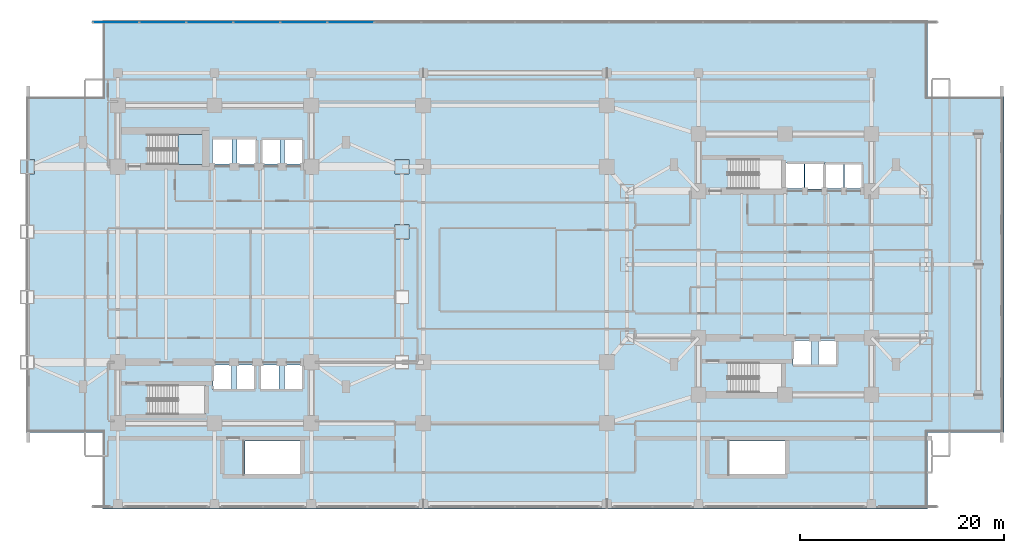
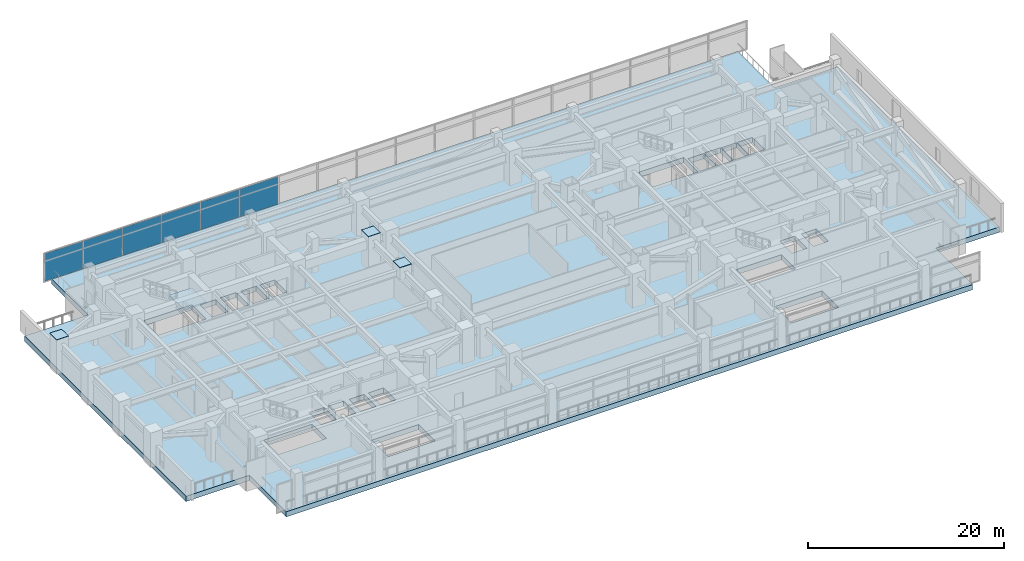
# One storey, part 11 of 27: 9 plates, 2 slabs, 2 elements without a shape of their own.
"""IFC4 building model written with IfcOpenShell, lengths in metres."""

from ifc_helpers import new_model, si_unit, direction, frame, origin, origin_2d, place, context, subcontext, project, spatial, polyline, rectangle, outline, extrude, material, layer, layer_set, type_object, element, aggregate, save


model = new_model("IFC4")

# Units and contexts
model_context = context("Model", 3, precision=1e-05, world=origin(), true_north=direction((0.0, 1.0)))
body_context = subcontext(model_context, "Body", "Model", "MODEL_VIEW")
ifc_project = project(units=[si_unit("LENGTHUNIT", "METRE"), si_unit("AREAUNIT", "SQUARE_METRE"), si_unit("VOLUMEUNIT", "CUBIC_METRE"), si_unit("PLANEANGLEUNIT", "RADIAN"), si_unit("MASSUNIT", "GRAM", prefix="KILO")], contexts=[model_context])

# Site, building, storey
site_placement = place(None, origin())
site = spatial("IfcSite", under=ifc_project, at=site_placement, CompositionType="ELEMENT")
building_placement = place(site_placement, origin())
building = spatial("IfcBuilding", under=site, at=building_placement, Name="Mirazonda Arch Towers", CompositionType="ELEMENT")
storey_placement = place(building_placement, frame((0.0, 0.0, 18.10009765625)))
storey = spatial("IfcBuildingStorey", under=building, at=storey_placement, Name="L04", CompositionType="ELEMENT", Elevation=18.10009765625)

# Curtain wall, plates
ifc_material_1 = material(Name="Anodised Aluminium and Low-E Glass", Category="aluminium")
curtain_wall_type = type_object("IfcCurtainWallType", Name="CW-POD-STORE", PredefinedType="NOTDEFINED", material=ifc_material_1)
curtain_wall_placement = place(storey_placement, origin())
curtain_wall = element("IfcCurtainWall", 1, at=curtain_wall_placement, inside=storey, type_object=curtain_wall_type, Name="L04 Curtain Wall CW-L04-N1", PredefinedType="NOTDEFINED")
ifc_material_2 = material(Name="Insulated Low-E Solar Glass", Category="glass")
ifc_layer_1 = layer(ifc_material_2, 0.028076171875, Name="PAN-CW-POD-STORE")
ifc_layer_set_1 = layer_set([ifc_layer_1], Name="Insulated Low-E Solar Glass")
plate_type_1 = type_object("IfcPlateType", Name="PAN-CW-POD-STORE", PredefinedType="CURTAIN_PANEL", material=ifc_layer_set_1)
plate_1_placement = place(storey_placement, frame((10.825439453125, 51.780029296875, 0.080078125), z_axis=(0.0, 0.0, 1.0), x_axis=(1.0, 0.0, 0.0)))
plate_1 = element("IfcPlate", 2, at=plate_1_placement, type_object=plate_type_1, Name="CW-102 panel 1.1", PredefinedType="CURTAIN_PANEL", context=body_context, shape_type="SweptSolid", body=[
    extrude(rectangle(XDim=4.4912109375, YDim=0.028076171875, at=origin_2d()), origin(), (0.0, 0.0, 1.0), 3.469970703125),
])
plate_2_placement = place(storey_placement, frame((15.416748046875, 51.780029296875, 0.080078125), z_axis=(0.0, 0.0, 1.0), x_axis=(1.0, 0.0, 0.0)))
plate_2 = element("IfcPlate", 3, at=plate_2_placement, type_object=plate_type_1, Name="CW-102 panel 2.1", PredefinedType="CURTAIN_PANEL", context=body_context, shape_type="SweptSolid", body=[
    extrude(rectangle(XDim=4.531005859375, YDim=0.028076171875, at=origin_2d()), origin(), (0.0, 0.0, 1.0), 3.469970703125),
])
plate_3_placement = place(storey_placement, frame((20.02783203125, 51.780029296875, 0.080078125), z_axis=(0.0, 0.0, 1.0), x_axis=(1.0, 0.0, 0.0)))
plate_3 = element("IfcPlate", 4, at=plate_3_placement, type_object=plate_type_1, Name="CW-102 panel 3.1", PredefinedType="CURTAIN_PANEL", context=body_context, shape_type="SweptSolid", body=[
    extrude(rectangle(XDim=4.531005859375, YDim=0.028076171875, at=origin_2d()), origin(), (0.0, 0.0, 1.0), 3.469970703125),
])
plate_4_placement = place(storey_placement, frame((24.638916015625, 51.780029296875, 0.080078125), z_axis=(0.0, 0.0, 1.0), x_axis=(1.0, 0.0, 0.0)))
plate_4 = element("IfcPlate", 5, at=plate_4_placement, type_object=plate_type_1, Name="CW-102 panel 4.1", PredefinedType="CURTAIN_PANEL", context=body_context, shape_type="SweptSolid", body=[
    extrude(rectangle(XDim=4.531005859375, YDim=0.028076171875, at=origin_2d()), origin(), (0.0, 0.0, 1.0), 3.469970703125),
])
plate_5_placement = place(storey_placement, frame((29.25, 51.780029296875, 0.080078125), z_axis=(0.0, 0.0, 1.0), x_axis=(1.0, 0.0, 0.0)))
plate_5 = element("IfcPlate", 6, at=plate_5_placement, type_object=plate_type_1, Name="CW-102 panel 5.1", PredefinedType="CURTAIN_PANEL", context=body_context, shape_type="SweptSolid", body=[
    extrude(rectangle(XDim=4.531005859375, YDim=0.028076171875, at=origin_2d()), origin(), (0.0, 0.0, 1.0), 3.469970703125),
])
plate_6_placement = place(storey_placement, frame((33.861083984375, 51.780029296875, 0.080078125), z_axis=(0.0, 0.0, 1.0), x_axis=(1.0, 0.0, 0.0)))
plate_6 = element("IfcPlate", 7, at=plate_6_placement, type_object=plate_type_1, Name="CW-102 panel 6.1", PredefinedType="CURTAIN_PANEL", context=body_context, shape_type="SweptSolid", body=[
    extrude(rectangle(XDim=4.531005859375, YDim=0.028076171875, at=origin_2d()), origin(), (0.0, 0.0, 1.0), 3.469970703125),
])
aggregate(curtain_wall, [plate_1, plate_2, plate_3, plate_4, plate_5, plate_6])

# Plates
ifc_material_3 = material(Name="Steel ASTM A572 Grade 50", Category="steel")
ifc_layer_2 = layer(ifc_material_3, 0.044921875, Name="PLATE-CAP-1400x1400x45")
ifc_layer_set_2 = layer_set([ifc_layer_2], Name="Steel ASTM A572 Grade 50")
plate_type_2 = type_object("IfcPlateType", Name="PLATE-CAP-1400x1400x45", PredefinedType="USERDEFINED", material=ifc_layer_set_2)
for number, where, z_axis, x_axis, name in (
    (8, (2.10009765625, 37.60009765625, 4.287841796875), (0.0, 0.0, 1.0), (1.0, 0.0, 0.0), "Steel end closure plate NP-T1MC04-04"),
    (9, (38.89990234375, 31.199951171875, 4.287841796875), (0.0, 0.0, 1.0), (1.0, 0.0, 0.0), "Steel end closure plate NP-T1MC04-07"),
    (10, (38.89990234375, 37.60009765625, 4.287841796875), (0.0, 0.0, 1.0), (1.0, 0.0, 0.0), "Steel end closure plate NP-T1MC04-08"),
):
    element("IfcPlate", number, at=place(storey_placement, frame(where, z_axis=z_axis, x_axis=x_axis)), inside=storey, type_object=plate_type_2, Name=name, ObjectType="CAP PLATE", PredefinedType="USERDEFINED", context=body_context, shape_type="SweptSolid", body=[
        extrude(rectangle(XDim=1.39990234375, YDim=1.39990234375, at=origin_2d()), origin(), (0.0, 0.0, 1.0), 0.044921875),
    ])

# Stair, slab
ifc_material_4 = material(Name="Concrete C40/50", Category="concrete")
stair_type = type_object("IfcStairType", Name="STAIR-CORE-1400", PredefinedType="HALF_TURN_STAIR", material=ifc_material_4)
stair_placement = place(storey_placement, origin())
stair = element("IfcStair", 11, at=stair_placement, inside=storey, type_object=stair_type, Name="L04 Protected Exit Stair ST-T1N", PredefinedType="HALF_TURN_STAIR")
ifc_layer_3 = layer(ifc_material_4, 0.18994140625, Name="SLAB-LANDING-190")
ifc_layer_set_3 = layer_set([ifc_layer_3], Name="Concrete C40/50")
slab_type_1 = type_object("IfcSlabType", Name="SLAB-LANDING-190", PredefinedType="LANDING", material=ifc_layer_set_3)
slab_1_placement = place(storey_placement, frame((0.0, 0.0, 1.949951171875)))
slab_1 = element("IfcSlab", 12, at=slab_1_placement, type_object=slab_type_1, Name="ST-T1N landing 1", PredefinedType="LANDING", context=body_context, shape_type="SweptSolid", body=[
    extrude(outline(polyline([(16.929931640625, 37.820068359375), (19.60009765625, 37.820068359375), (19.60009765625, 40.760009765625), (16.929931640625, 40.760009765625), (16.929931640625, 37.820068359375)])), origin(), (0.0, 0.0, 1.0), 0.199951171875),
])
aggregate(stair, [slab_1])

# Slab
ifc_material_5 = material(Name="Concrete C50/60", Category="concrete")
ifc_layer_4 = layer(ifc_material_5, 0.64990234375, Name="SLAB-TRANSFER-650")
ifc_layer_set_4 = layer_set([ifc_layer_4], Name="Concrete C50/60")
slab_type_2 = type_object("IfcSlabType", Name="SLAB-TRANSFER-650", PredefinedType="FLOOR", material=ifc_layer_set_4)
slab_2_placement = place(storey_placement, frame((0.0, 0.0, -0.650146484375)))
element("IfcSlab", 13, at=slab_2_placement, inside=storey, type_object=slab_type_2, Name="L04 Bridged Podium Slab", PredefinedType="FLOOR", context=body_context, shape_type="SweptSolid", body=[
    extrude(outline(polyline([(9.5, 4.0), (90.5, 4.0), (90.5, 11.5), (98.0, 11.5), (98.0, 44.5), (90.5, 44.5), (90.5, 52.0), (9.5, 52.0), (9.5, 44.5), (2.0, 44.5), (2.0, 11.5), (9.5, 11.5), (9.5, 4.0)]), holes=[polyline([(84.110107421875, 35.4599609375), (82.330078125, 35.4599609375), (82.330078125, 37.93994140625), (84.110107421875, 37.93994140625), (84.110107421875, 35.4599609375)]), polyline([(82.22998046875, 37.93994140625), (82.22998046875, 35.4599609375), (80.449951171875, 35.4599609375), (80.449951171875, 37.93994140625), (82.22998046875, 37.93994140625)]), polyline([(81.590087890625, 18.06005859375), (79.81005859375, 18.06005859375), (79.81005859375, 20.5400390625), (81.590087890625, 20.5400390625), (81.590087890625, 18.06005859375)]), polyline([(80.360107421875, 37.989990234375), (80.360107421875, 35.409912109375), (78.47998046875, 35.409912109375), (78.47998046875, 37.989990234375), (80.360107421875, 37.989990234375)]), polyline([(79.090087890625, 18.06005859375), (77.31005859375, 18.06005859375), (77.31005859375, 20.5400390625), (79.090087890625, 20.5400390625), (79.090087890625, 18.06005859375)]), polyline([(78.389892578125, 37.93994140625), (78.389892578125, 35.4599609375), (76.510009765625, 35.4599609375), (76.510009765625, 37.93994140625), (78.389892578125, 37.93994140625)]), polyline([(71.074951171875, 10.68994140625), (76.60009765625, 10.68994140625), (76.60009765625, 7.35009765625), (71.074951171875, 7.35009765625), (71.074951171875, 10.68994140625)]), polyline([(76.22998046875, 38.360107421875), (76.22998046875, 35.419921875), (70.925048828125, 35.419921875), (70.925048828125, 38.360107421875), (76.22998046875, 38.360107421875)]), polyline([(70.925048828125, 18.360107421875), (76.22998046875, 18.360107421875), (76.22998046875, 15.419921875), (70.925048828125, 15.419921875), (70.925048828125, 18.360107421875)]), polyline([(29.139892578125, 18.139892578125), (29.139892578125, 15.659912109375), (27.360107421875, 15.659912109375), (27.360107421875, 18.139892578125), (29.139892578125, 18.139892578125)]), polyline([(29.139892578125, 37.860107421875), (27.360107421875, 37.860107421875), (27.360107421875, 40.340087890625), (29.139892578125, 40.340087890625), (29.139892578125, 37.860107421875)]), polyline([(23.47509765625, 10.68994140625), (29.0, 10.68994140625), (29.0, 7.35009765625), (23.47509765625, 7.35009765625), (23.47509765625, 10.68994140625)]), polyline([(26.93994140625, 40.340087890625), (26.93994140625, 37.860107421875), (25.159912109375, 37.860107421875), (25.159912109375, 40.340087890625), (26.93994140625, 40.340087890625)]), polyline([(26.840087890625, 15.659912109375), (25.06005859375, 15.659912109375), (25.06005859375, 18.139892578125), (26.840087890625, 18.139892578125), (26.840087890625, 15.659912109375)]), polyline([(24.590087890625, 40.389892578125), (24.590087890625, 37.81005859375), (22.7099609375, 37.81005859375), (22.7099609375, 40.389892578125), (24.590087890625, 40.389892578125)]), polyline([(24.43994140625, 15.659912109375), (22.659912109375, 15.659912109375), (22.659912109375, 18.139892578125), (24.43994140625, 18.139892578125), (24.43994140625, 15.659912109375)]), polyline([(22.18994140625, 40.340087890625), (22.18994140625, 37.860107421875), (20.31005859375, 37.860107421875), (20.31005859375, 40.340087890625), (22.18994140625, 40.340087890625)]), polyline([(22.139892578125, 18.139892578125), (22.139892578125, 15.659912109375), (20.360107421875, 15.659912109375), (20.360107421875, 18.139892578125), (22.139892578125, 18.139892578125)]), polyline([(19.60009765625, 40.760009765625), (19.60009765625, 37.820068359375), (13.925048828125, 37.820068359375), (13.925048828125, 40.760009765625), (19.60009765625, 40.760009765625)]), polyline([(13.925048828125, 16.18994140625), (19.60009765625, 16.18994140625), (19.60009765625, 13.25), (13.925048828125, 13.25), (13.925048828125, 16.18994140625)])]), origin(), (0.0, 0.0, 1.0), 0.650146484375),
])

save(model, "model.ifc")
